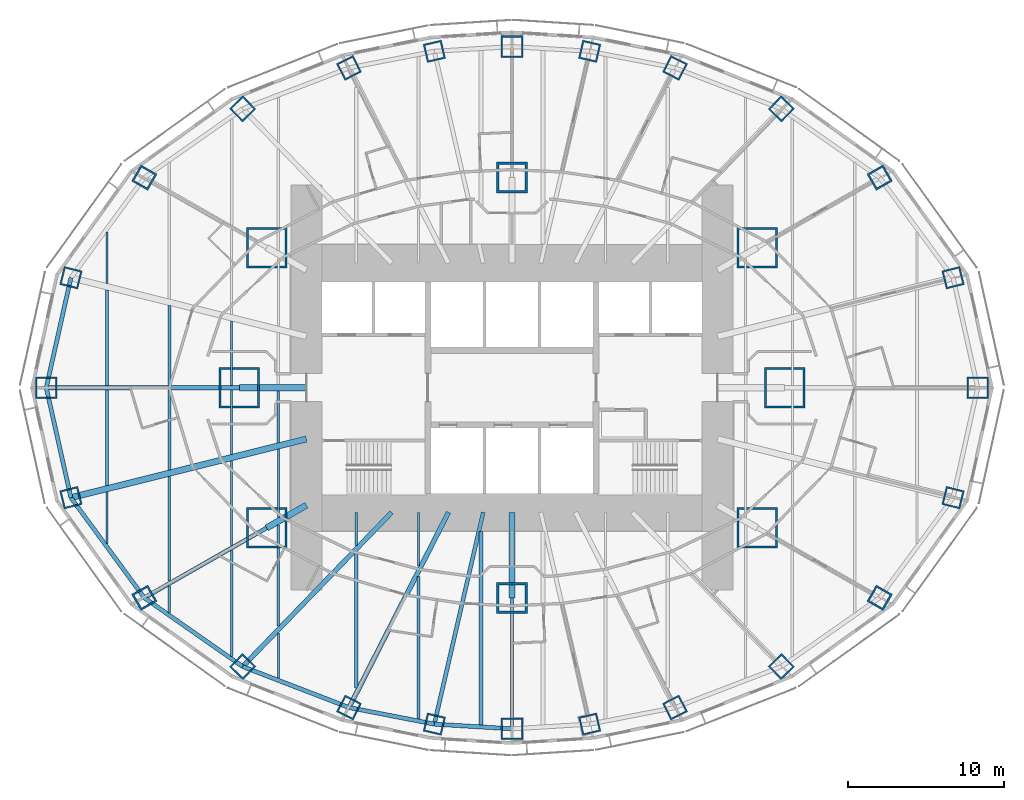
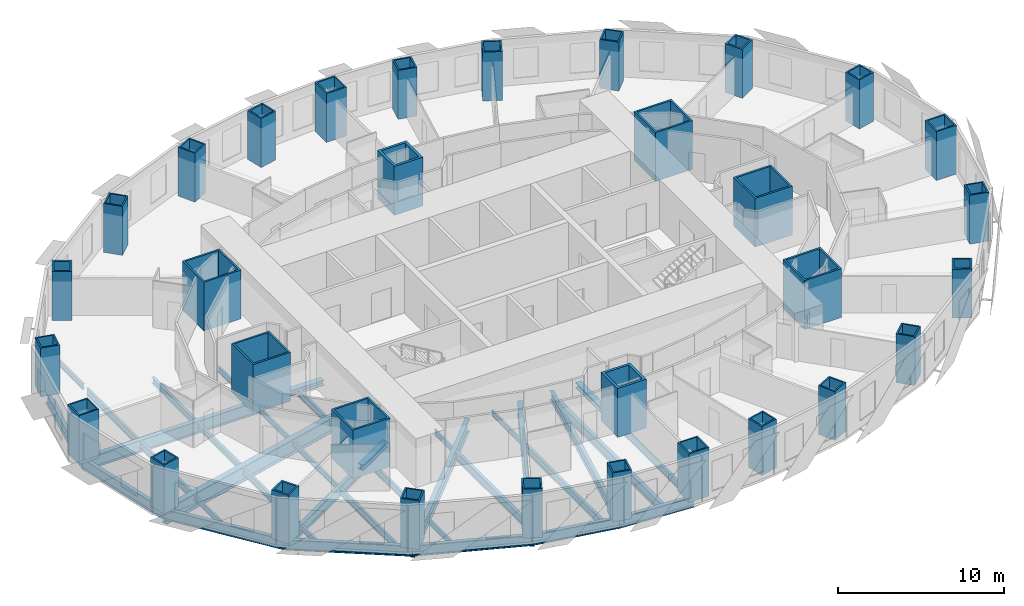
# One storey, part 1 of 15: 38 beams, 32 columns.
"""IFC4 building model written with IfcOpenShell, lengths in metres."""

import ifcopenshell
import ifcopenshell.guid

model = None  # the IFC model being written
_history = None  # IfcOwnerHistory: only IFC2X3 demands one
_inside = {}  # id of a spatial element -> (the spatial element, [elements in it])
_under = {}  # id of a project, library or spatial element -> (it, [spatial elements below it])
_declared = {}  # id of a project -> (the project, [libraries it declares])
_typed = {}  # id of a type object -> (the type object, [elements of that type])
_made_of = {}  # id of a material, layer set ... -> (it, [elements and type objects made of it])


def new_model(schema):
    """Start an empty IFC model of exactly this schema.

    Asked for "IFC4X3", IfcOpenShell would pick the latest addendum, in which some entities
    have other attributes; the version numbers below select the first issue.
    IFC2X3 requires an IfcOwnerHistory on every rooted entity: one is made here for all.
    """
    global model, _history
    if schema == "IFC4X3":
        model = ifcopenshell.file(schema_version=(4, 3, 0, 0))
    else:
        model = ifcopenshell.file(schema=schema)
    _inside.clear()
    _under.clear()
    _declared.clear()
    _typed.clear()
    _made_of.clear()
    _history = None
    if model.schema == "IFC2X3":
        org = make("IfcOrganization", Name="unknown")
        user = make(
            "IfcPersonAndOrganization",
            ThePerson=make("IfcPerson", FamilyName="unknown"),
            TheOrganization=org,
        )
        app = make(
            "IfcApplication",
            ApplicationDeveloper=org,
            Version="unknown",
            ApplicationFullName="unknown",
            ApplicationIdentifier="unknown",
        )
        _history = make(
            "IfcOwnerHistory",
            OwningUser=user,
            OwningApplication=app,
            ChangeAction="ADDED",
            CreationDate=0,
        )
    return model


def make(cls, **values):
    """One entity of the class cls with the attributes given. An attribute that is None is left unset."""
    return model.create_entity(
        cls, **{name: value for name, value in values.items() if value is not None}
    )


def rooted(cls, **values):
    """An entity with a GlobalId (a new one), such as an element, a storey or a relation."""
    return make(cls, GlobalId=ifcopenshell.guid.new(), OwnerHistory=_history, **values)


def si_unit(unit_type, name, prefix=None):
    """IfcSIUnit, for example si_unit("LENGTHUNIT", "METRE", prefix="MILLI")."""
    return make("IfcSIUnit", UnitType=unit_type, Prefix=prefix, Name=name)


def assignment(units):
    """IfcUnitAssignment: the units of a project."""
    return None if units is None else make("IfcUnitAssignment", Units=units)


def point(xyz):
    """IfcCartesianPoint."""
    return None if xyz is None else make("IfcCartesianPoint", Coordinates=xyz)


def direction(xyz):
    """IfcDirection."""
    return None if xyz is None else make("IfcDirection", DirectionRatios=xyz)


def frame(location, z_axis=None, x_axis=None):
    """IfcAxis2Placement3D, a coordinate frame: its origin and axes. An axis left out is left unset."""
    return make(
        "IfcAxis2Placement3D",
        Location=point(location),
        Axis=direction(z_axis),
        RefDirection=direction(x_axis),
    )


def frame_2d(location, x_axis=None):
    """IfcAxis2Placement2D, a coordinate frame in the plane: its origin and x axis."""
    return make(
        "IfcAxis2Placement2D", Location=point(location), RefDirection=direction(x_axis)
    )


def origin():
    """The frame at (0, 0, 0) with its axes left unset."""
    return frame((0.0, 0.0, 0.0))


def origin_2d():
    """The frame at (0, 0) in the plane with its x axis left unset."""
    return frame_2d((0.0, 0.0))


def place(relative_to, where):
    """IfcLocalPlacement: puts the frame where relative to a parent placement (None: the world)."""
    return make(
        "IfcLocalPlacement", PlacementRelTo=relative_to, RelativePlacement=where
    )


def context(
    kind, dimensions, precision=None, world=None, true_north=None, identifier=None
):
    """IfcGeometricRepresentationContext, for example the 3D "Model" context."""
    return make(
        "IfcGeometricRepresentationContext",
        ContextIdentifier=identifier,
        ContextType=kind,
        CoordinateSpaceDimension=dimensions,
        Precision=precision,
        WorldCoordinateSystem=world,
        TrueNorth=true_north,
    )


def subcontext(parent, identifier, kind, view, scale=None):
    """IfcGeometricRepresentationSubContext, for example "Body" below "Model"."""
    return make(
        "IfcGeometricRepresentationSubContext",
        ContextIdentifier=identifier,
        ContextType=kind,
        ParentContext=parent,
        TargetScale=scale,
        TargetView=view,
    )


def project(units=None, contexts=None):
    """IfcProject with its units and contexts."""
    return rooted(
        "IfcProject",
        Name="project",
        RepresentationContexts=contexts,
        UnitsInContext=assignment(units),
    )


def spatial(cls, under=None, at=None, **own):
    """A site, building, storey or space (cls), placed at a placement, below another one or the project."""
    s = rooted(cls, ObjectPlacement=at, **own)
    if under is not None:
        _under.setdefault(under.id(), (under, []))[1].append(s)
    return s


def profile(cls, at=None, kind="AREA", **sizes):
    """A parametric profile (cls). Its sizes go by their IFC names, for example OverallWidth=200.0."""
    return make(cls, ProfileType=kind, Position=at, **sizes)


def rectangle(**sizes):
    """IfcRectangleProfileDef."""
    return profile("IfcRectangleProfileDef", **sizes)


def hollow_rectangle(**sizes):
    """IfcRectangleHollowProfileDef."""
    return profile("IfcRectangleHollowProfileDef", **sizes)


def i_section(**sizes):
    """IfcIShapeProfileDef."""
    return profile("IfcIShapeProfileDef", **sizes)


def extrude(swept, where, along, depth):
    """IfcExtrudedAreaSolid: the profile swept, set in the frame where, extruded along a direction by depth."""
    return make(
        "IfcExtrudedAreaSolid",
        SweptArea=swept,
        Position=where,
        ExtrudedDirection=direction(along),
        Depth=depth,
    )


def shape(context_of_items, identifier, shape_type, items):
    """IfcShapeRepresentation: the items that make up one representation, for example the "Body"."""
    return make(
        "IfcShapeRepresentation",
        ContextOfItems=context_of_items,
        RepresentationIdentifier=identifier,
        RepresentationType=shape_type,
        Items=items,
    )


def material(Name=None, Category=None):
    """IfcMaterial."""
    return make("IfcMaterial", Name=Name, Category=Category)


def material_profile(
    of_material, cross_section, Name=None, Category=None, Priority=None
):
    """IfcMaterialProfile: a cross section and its material."""
    return make(
        "IfcMaterialProfile",
        Name=Name,
        Material=of_material,
        Profile=cross_section,
        Priority=Priority,
        Category=Category,
    )


def profile_set(profiles, Name=None, composite=None):
    """IfcMaterialProfileSet."""
    return make(
        "IfcMaterialProfileSet",
        Name=Name,
        MaterialProfiles=profiles,
        CompositeProfile=composite,
    )


def made_of(thing, what):
    """Note that an element or type object is made of a material, layer set ...; save() writes the relation."""
    if what is not None:
        _made_of.setdefault(what.id(), (what, []))[1].append(thing)
    return thing


def type_object(cls, material=None, **own):
    """A type object (cls), such as IfcWallType, which elements share."""
    return made_of(rooted(cls, **own), material)


def element(
    cls,
    number,
    at=None,
    inside=None,
    cuts=None,
    type_object=None,
    material=None,
    context=None,
    identifier="Body",
    shape_type=None,
    held_by="IfcProductDefinitionShape",
    body=None,
    shapes=None,
    **own,
):
    """One element of the class cls, such as IfcWall. Its Tag is "e" and its number.

    at: its placement. inside: the storey or other place that contains it. cuts: it is an
    opening in that element (IfcRelVoidsElement). A single representation is given by context,
    identifier, shape_type and body (its items); several are given by shapes. held_by: the class
    of the entity that holds the representations. save() writes the other relations.
    """
    e = rooted(cls, Tag="e%d" % number, ObjectPlacement=at, **own)
    if body is not None:
        shapes = [shape(context, identifier, shape_type, body)]
    if shapes is not None:
        e.Representation = make(held_by, Representations=shapes)
    if inside is not None:
        _inside.setdefault(inside.id(), (inside, []))[1].append(e)
    if cuts is not None:
        rooted(
            "IfcRelVoidsElement", RelatingBuildingElement=cuts, RelatedOpeningElement=e
        )
    if type_object is not None:
        _typed.setdefault(type_object.id(), (type_object, []))[1].append(e)
    return made_of(e, material)


def aggregate(whole, parts):
    """IfcRelAggregates: a whole, such as a stair, and the parts it consists of."""
    return rooted("IfcRelAggregates", RelatingObject=whole, RelatedObjects=parts)


def save(model, path):
    """Write the relations noted so far, then the file.

    IfcRelAggregates (storeys below a building ...), IfcRelContainedInSpatialStructure (elements
    in a storey), IfcRelDefinesByType, IfcRelAssociatesMaterial and IfcRelDeclares: one each for
    every whole, place, type object, material and project.
    """
    for whole, parts in _under.values():
        aggregate(whole, parts)
    for where, things in _inside.values():
        rooted(
            "IfcRelContainedInSpatialStructure",
            RelatedElements=things,
            RelatingStructure=where,
        )
    for kind, things in _typed.values():
        rooted("IfcRelDefinesByType", RelatedObjects=things, RelatingType=kind)
    for what, things in _made_of.values():
        rooted("IfcRelAssociatesMaterial", RelatedObjects=things, RelatingMaterial=what)
    for by, libraries in _declared.values():
        rooted("IfcRelDeclares", RelatingContext=by, RelatedDefinitions=libraries)
    model.write(path)


model = new_model("IFC4")

# Units and contexts
model_context = context("Model", 3, precision=1e-05, world=origin(), true_north=direction((0.0, 1.0)))
body_context = subcontext(model_context, "Body", "Model", "MODEL_VIEW")
ifc_project = project(units=[si_unit("LENGTHUNIT", "METRE"), si_unit("AREAUNIT", "SQUARE_METRE"), si_unit("VOLUMEUNIT", "CUBIC_METRE"), si_unit("PLANEANGLEUNIT", "RADIAN"), si_unit("MASSUNIT", "GRAM", prefix="KILO")], contexts=[model_context])

# Site, building, storey
site_placement = place(None, origin())
site = spatial("IfcSite", under=ifc_project, at=site_placement, CompositionType="ELEMENT")
building_placement = place(site_placement, origin())
building = spatial("IfcBuilding", under=site, at=building_placement, Name="Lantaw Convention Tower", CompositionType="ELEMENT")
storey_placement = place(building_placement, frame((0.0, 0.0, 80.199951171875)))
storey = spatial("IfcBuildingStorey", under=building, at=storey_placement, Name="L18", CompositionType="ELEMENT", Elevation=80.199951171875)

# Columns
ifc_material_1 = material(Name="Steel EN 10025-3 S460N", Category="steel")
ifc_material_profile_1 = material_profile(ifc_material_1, hollow_rectangle(XDim=2.0, YDim=2.0, WallThickness=0.169921875, at=origin_2d()), Name="BOX2000X170")
ifc_material_2 = material(Name="Concrete C60/75", Category="concrete")
ifc_material_profile_2 = material_profile(ifc_material_2, rectangle(XDim=1.659912109375, YDim=1.659912109375, at=origin_2d()), Name="Concrete fill of BOX2000X170")
ifc_profile_set_1 = profile_set([ifc_material_profile_1, ifc_material_profile_2], Name="Steel EN 10025-3 S460N")
column_type_1 = type_object("IfcColumnType", Name="Column MC BOX2000X170", PredefinedType="COLUMN", material=ifc_profile_set_1)
for number, where, z_axis, x_axis, name in (
    (1, (0.0, 13.5, 0.0), (0.0, 0.0, 1.0), (1.0, 0.0, 0.0), "Mega column M3"),
    (2, (0.0, -13.5, 0.0), (0.0, 0.0, 1.0), (1.0, 0.0, 0.0), "Mega column M7"),
):
    element("IfcColumn", number, at=place(storey_placement, frame(where, z_axis=z_axis, x_axis=x_axis)), inside=storey, type_object=column_type_1, Name=name, PredefinedType="COLUMN", context=body_context, shape_type="SweptSolid", body=[
        extrude(hollow_rectangle(XDim=2.0, YDim=2.0, WallThickness=0.169921875, at=origin_2d()), origin(), (0.0, 0.0, 1.0), 3.60009765625),
    ])
ifc_material_profile_3 = material_profile(ifc_material_1, hollow_rectangle(XDim=2.60009765625, YDim=2.60009765625, WallThickness=0.1298828125, at=origin_2d()), Name="BOX2600X130")
ifc_material_profile_4 = material_profile(ifc_material_2, rectangle(XDim=2.340087890625, YDim=2.340087890625, at=origin_2d()), Name="Concrete fill of BOX2600X130")
ifc_profile_set_2 = profile_set([ifc_material_profile_3, ifc_material_profile_4], Name="Steel EN 10025-3 S460N")
column_type_2 = type_object("IfcColumnType", Name="Column MC BOX2600X130", PredefinedType="COLUMN", material=ifc_profile_set_2)
for number, where, z_axis, x_axis, name in (
    (3, (17.5, 0.0, 0.0), (0.0, 0.0, 1.0), (1.0, 0.0, 0.0), "Mega column M1"),
    (4, (15.75, 9.0, 0.0), (0.0, 0.0, 1.0), (1.0, 0.0, 0.0), "Mega column M2"),
    (5, (-15.75, 9.0, 0.0), (0.0, 0.0, 1.0), (1.0, 0.0, 0.0), "Mega column M4"),
    (6, (-17.5, 0.0, 0.0), (0.0, 0.0, 1.0), (1.0, 0.0, 0.0), "Mega column M5"),
    (7, (-15.75, -9.0, 0.0), (0.0, 0.0, 1.0), (1.0, 0.0, 0.0), "Mega column M6"),
    (8, (15.75, -9.0, 0.0), (0.0, 0.0, 1.0), (1.0, 0.0, 0.0), "Mega column M8"),
):
    element("IfcColumn", number, at=place(storey_placement, frame(where, z_axis=z_axis, x_axis=x_axis)), inside=storey, type_object=column_type_2, Name=name, PredefinedType="COLUMN", context=body_context, shape_type="SweptSolid", body=[
        extrude(hollow_rectangle(XDim=2.60009765625, YDim=2.60009765625, WallThickness=0.1298828125, at=origin_2d()), origin(), (0.0, 0.0, 1.0), 3.60009765625),
    ])
ifc_material_profile_5 = material_profile(ifc_material_1, hollow_rectangle(XDim=1.199951171875, YDim=1.199951171875, WallThickness=0.10009765625, at=origin_2d()), Name="BOX1200X100")
ifc_material_profile_6 = material_profile(ifc_material_2, rectangle(XDim=1.0, YDim=1.0, at=origin_2d()), Name="Concrete fill of BOX1200X100")
ifc_profile_set_3 = profile_set([ifc_material_profile_5, ifc_material_profile_6], Name="Steel EN 10025-3 S460N")
column_type_3 = type_object("IfcColumnType", Name="Column PC BOX1200X100", PredefinedType="COLUMN", material=ifc_profile_set_3)
for number, where, z_axis, x_axis, name in (
    (9, (28.31787109375, 7.060302734375, 0.0), (0.0, 0.0, 1.0), (0.970295726276, 0.2419218956, 0.0), "Perimeter column P2"),
    (10, (17.290771484375, 17.9052734375, 0.0), (0.0, 0.0, 1.0), (0.694658370459, 0.719339800339, 0.0), "Perimeter column P4"),
    (11, (10.462646484375, 20.533935546875, 0.0), (0.0, 0.0, 1.0), (0.45399049974, 0.891006524188, 0.0), "Perimeter column P5"),
    (12, (4.986328125, 21.59814453125, 0.0), (0.0, 0.0, 1.0), (0.224951054344, 0.974370064785, 0.0), "Perimeter column P6"),
    (13, (-4.986328125, 21.59814453125, 0.0), (0.0, 0.0, 1.0), (0.974370064785, 0.224951054344, 0.0), "Perimeter column P8"),
    (14, (-10.462646484375, 20.533935546875, 0.0), (0.0, 0.0, 1.0), (0.891006524188, 0.45399049974, 0.0), "Perimeter column P9"),
    (15, (-17.290771484375, 17.9052734375, 0.0), (0.0, 0.0, 1.0), (0.719339800339, 0.694658370459, 0.0), "Perimeter column P10"),
    (16, (-28.31787109375, 7.060302734375, 0.0), (0.0, 0.0, 1.0), (0.2419218956, 0.970295726276, 0.0), "Perimeter column P12"),
    (17, (-28.31787109375, -7.060302734375, 0.0), (0.0, 0.0, 1.0), (0.970295726276, 0.2419218956, 0.0), "Perimeter column P14"),
    (18, (-17.290771484375, -17.9052734375, 0.0), (0.0, 0.0, 1.0), (0.694658370459, 0.719339800339, 0.0), "Perimeter column P16"),
    (19, (-10.462646484375, -20.533935546875, 0.0), (0.0, 0.0, 1.0), (0.45399049974, 0.891006524188, 0.0), "Perimeter column P17"),
    (20, (-4.986328125, -21.59814453125, 0.0), (0.0, 0.0, 1.0), (0.224951054344, 0.974370064785, 0.0), "Perimeter column P18"),
    (21, (4.986328125, -21.59814453125, 0.0), (0.0, 0.0, 1.0), (0.974370064785, 0.224951054344, 0.0), "Perimeter column P20"),
    (22, (10.462646484375, -20.533935546875, 0.0), (0.0, 0.0, 1.0), (0.891006524188, 0.45399049974, 0.0), "Perimeter column P21"),
    (23, (17.290771484375, -17.9052734375, 0.0), (0.0, 0.0, 1.0), (0.719339800339, 0.694658370459, 0.0), "Perimeter column P22"),
    (24, (28.31787109375, -7.060302734375, 0.0), (0.0, 0.0, 1.0), (0.2419218956, 0.970295726276, 0.0), "Perimeter column P24"),
):
    element("IfcColumn", number, at=place(storey_placement, frame(where, z_axis=z_axis, x_axis=x_axis)), inside=storey, type_object=column_type_3, Name=name, PredefinedType="COLUMN", context=body_context, shape_type="SweptSolid", body=[
        extrude(hollow_rectangle(XDim=1.199951171875, YDim=1.199951171875, WallThickness=0.10009765625, at=origin_2d()), origin(), (0.0, 0.0, 1.0), 3.60009765625),
    ])
ifc_material_profile_7 = material_profile(ifc_material_1, hollow_rectangle(XDim=1.199951171875, YDim=1.199951171875, WallThickness=0.1201171875, at=origin_2d()), Name="BOX1200X120")
ifc_material_profile_8 = material_profile(ifc_material_2, rectangle(XDim=0.9599609375, YDim=0.9599609375, at=origin_2d()), Name="Concrete fill of BOX1200X120")
ifc_profile_set_4 = profile_set([ifc_material_profile_7, ifc_material_profile_8], Name="Steel EN 10025-3 S460N")
column_type_4 = type_object("IfcColumnType", Name="Column PC BOX1200X120", PredefinedType="COLUMN", material=ifc_profile_set_4)
for number, where, z_axis, x_axis, name in (
    (25, (23.60498046875, 13.488525390625, 0.0), (0.0, 0.0, 1.0), (0.86824298017, 0.496139221777, 0.0), "Perimeter column P3"),
    (26, (-23.60498046875, 13.488525390625, 0.0), (0.0, 0.0, 1.0), (0.496139221777, 0.86824298017, 0.0), "Perimeter column P11"),
    (27, (-23.60498046875, -13.488525390625, 0.0), (0.0, 0.0, 1.0), (0.86824298017, 0.496139221777, 0.0), "Perimeter column P15"),
    (28, (23.60498046875, -13.488525390625, 0.0), (0.0, 0.0, 1.0), (0.496139221777, 0.86824298017, 0.0), "Perimeter column P23"),
):
    element("IfcColumn", number, at=place(storey_placement, frame(where, z_axis=z_axis, x_axis=x_axis)), inside=storey, type_object=column_type_4, Name=name, PredefinedType="COLUMN", context=body_context, shape_type="SweptSolid", body=[
        extrude(hollow_rectangle(XDim=1.199951171875, YDim=1.199951171875, WallThickness=0.1201171875, at=origin_2d()), origin(), (0.0, 0.0, 1.0), 3.60009765625),
    ])
ifc_material_profile_9 = material_profile(ifc_material_1, hollow_rectangle(XDim=1.39990234375, YDim=1.39990234375, WallThickness=0.10009765625, at=origin_2d()), Name="BOX1400X100")
ifc_material_profile_10 = material_profile(ifc_material_2, rectangle(XDim=1.199951171875, YDim=1.199951171875, at=origin_2d()), Name="Concrete fill of BOX1400X100")
ifc_profile_set_5 = profile_set([ifc_material_profile_9, ifc_material_profile_10], Name="Steel EN 10025-3 S460N")
column_type_5 = type_object("IfcColumnType", Name="Column PC BOX1400X100", PredefinedType="COLUMN", material=ifc_profile_set_5)
for number, where, z_axis, x_axis, name in (
    (29, (29.89990234375, 0.0, 0.0), (0.0, 0.0, 1.0), (1.0, 0.0, 0.0), "Perimeter column P1"),
    (30, (0.0, 21.89990234375, 0.0), (0.0, 0.0, 1.0), (1.0, 0.0, 0.0), "Perimeter column P7"),
    (31, (-29.89990234375, 0.0, 0.0), (0.0, 0.0, 1.0), (1.0, 0.0, 0.0), "Perimeter column P13"),
    (32, (0.0, -21.89990234375, 0.0), (0.0, 0.0, 1.0), (1.0, 0.0, 0.0), "Perimeter column P19"),
):
    element("IfcColumn", number, at=place(storey_placement, frame(where, z_axis=z_axis, x_axis=x_axis)), inside=storey, type_object=column_type_5, Name=name, PredefinedType="COLUMN", context=body_context, shape_type="SweptSolid", body=[
        extrude(hollow_rectangle(XDim=1.39990234375, YDim=1.39990234375, WallThickness=0.10009765625, at=origin_2d()), origin(), (0.0, 0.0, 1.0), 3.60009765625),
    ])

# Beams
ifc_material_3 = material(Name="Steel ASTM A992", Category="steel")
ifc_material_profile_11 = material_profile(ifc_material_3, i_section(OverallWidth=0.2666015625, OverallDepth=0.76953125, WebThickness=0.015625, FlangeThickness=0.025390625, FilletRadius=0.0126953125, at=origin_2d()), Name="W30X132")
ifc_profile_set_6 = profile_set([ifc_material_profile_11], Name="Steel ASTM A992")
beam_type_1 = type_object("IfcBeamType", Name="Beam E W30X132", PredefinedType="SPANDREL", material=ifc_profile_set_6)
for number, where, z_axis, x_axis, name in (
    (33, (-28.31787109375, 7.060302734375, -0.53466796875), (-0.218652184873, -0.975802860239, 0.0), (0.975802860239, -0.218652184873, 0.0), "Edge beam 12"),
    (34, (-29.89990234375, 0.0, -0.53466796875), (0.218652184873, -0.975802860239, 0.0), (0.975802860239, 0.218652184873, 0.0), "Edge beam 13"),
):
    element("IfcBeam", number, at=place(storey_placement, frame(where, z_axis=z_axis, x_axis=x_axis)), inside=storey, type_object=beam_type_1, Name=name, PredefinedType="SPANDREL", context=body_context, shape_type="SweptSolid", body=[
        extrude(i_section(OverallWidth=0.2666015625, OverallDepth=0.76953125, WebThickness=0.015625, FlangeThickness=0.025390625, FilletRadius=0.0126953125, at=origin_2d()), origin(), (0.0, 0.0, 1.0), 7.2353515625),
    ])
beam_1_placement = place(storey_placement, frame((-28.31787109375, -7.060302734375, -0.53466796875), z_axis=(0.591270709086, -0.806473154281, 0.0), x_axis=(0.806473154281, 0.591270709086, 0.0)))
element("IfcBeam", 35, at=beam_1_placement, inside=storey, type_object=beam_type_1, Name="Edge beam 14", PredefinedType="SPANDREL", context=body_context, shape_type="SweptSolid", body=[
    extrude(i_section(OverallWidth=0.2666015625, OverallDepth=0.76953125, WebThickness=0.015625, FlangeThickness=0.025390625, FilletRadius=0.0126953125, at=origin_2d()), origin(), (0.0, 0.0, 1.0), 7.970703125),
])
beam_2_placement = place(storey_placement, frame((-23.60498046875, -13.488525390625, -0.53466796875), z_axis=(0.81942686407, -0.57318375277, 0.0), x_axis=(0.57318375277, 0.81942686407, 0.0)))
element("IfcBeam", 36, at=beam_2_placement, inside=storey, type_object=beam_type_1, Name="Edge beam 15", PredefinedType="SPANDREL", context=body_context, shape_type="SweptSolid", body=[
    extrude(i_section(OverallWidth=0.2666015625, OverallDepth=0.76953125, WebThickness=0.015625, FlangeThickness=0.025390625, FilletRadius=0.0126953125, at=origin_2d()), origin(), (0.0, 0.0, 1.0), 7.70556640625),
])
beam_3_placement = place(storey_placement, frame((-17.290771484375, -17.9052734375, -0.53466796875), z_axis=(0.933232900641, -0.359271976588, 0.0), x_axis=(0.359271976588, 0.933232900641, 0.0)))
element("IfcBeam", 37, at=beam_3_placement, inside=storey, type_object=beam_type_1, Name="Edge beam 16", PredefinedType="SPANDREL", context=body_context, shape_type="SweptSolid", body=[
    extrude(i_section(OverallWidth=0.2666015625, OverallDepth=0.76953125, WebThickness=0.015625, FlangeThickness=0.025390625, FilletRadius=0.0126953125, at=origin_2d()), origin(), (0.0, 0.0, 1.0), 7.316650390625),
])
beam_4_placement = place(storey_placement, frame((-10.462646484375, -20.533935546875, -0.53466796875), z_axis=(0.981636565323, -0.190760723474, 0.0), x_axis=(0.190760723474, 0.981636565323, 0.0)))
element("IfcBeam", 38, at=beam_4_placement, inside=storey, type_object=beam_type_1, Name="Edge beam 17", PredefinedType="SPANDREL", context=body_context, shape_type="SweptSolid", body=[
    extrude(i_section(OverallWidth=0.2666015625, OverallDepth=0.76953125, WebThickness=0.015625, FlangeThickness=0.025390625, FilletRadius=0.0126953125, at=origin_2d()), origin(), (0.0, 0.0, 1.0), 5.578857421875),
])
beam_5_placement = place(storey_placement, frame((-4.986328125, -21.59814453125, -0.53466796875), z_axis=(0.998173858406, -0.060406526096, 0.0), x_axis=(0.060406526096, 0.998173858406, 0.0)))
element("IfcBeam", 39, at=beam_5_placement, inside=storey, type_object=beam_type_1, Name="Edge beam 18", PredefinedType="SPANDREL", context=body_context, shape_type="SweptSolid", body=[
    extrude(i_section(OverallWidth=0.2666015625, OverallDepth=0.76953125, WebThickness=0.015625, FlangeThickness=0.025390625, FilletRadius=0.0126953125, at=origin_2d()), origin(), (0.0, 0.0, 1.0), 4.995361328125),
])
ifc_material_profile_12 = material_profile(ifc_material_3, i_section(OverallWidth=0.1650390625, OverallDepth=0.52587890625, WebThickness=0.0087890625, FlangeThickness=0.011474609375, FilletRadius=0.0126953125, at=origin_2d()), Name="W21X44")
ifc_profile_set_7 = profile_set([ifc_material_profile_12], Name="Steel ASTM A992")
beam_type_2 = type_object("IfcBeamType", Name="Beam G W21X44", PredefinedType="BEAM", material=ifc_profile_set_7)
beam_6_placement = place(storey_placement, frame((0.0, -13.5, -0.412841796875), z_axis=(0.0, -1.0, 0.0), x_axis=(1.0, 0.0, 0.0)))
element("IfcBeam", 40, at=beam_6_placement, inside=storey, type_object=beam_type_2, Name="Floor girder on ray 19", PredefinedType="BEAM", context=body_context, shape_type="SweptSolid", body=[
    extrude(i_section(OverallWidth=0.1650390625, OverallDepth=0.52587890625, WebThickness=0.0087890625, FlangeThickness=0.011474609375, FilletRadius=0.0126953125, at=origin_2d()), origin(), (0.0, 0.0, 1.0), 8.39990234375),
])
ifc_material_profile_13 = material_profile(ifc_material_3, i_section(OverallWidth=0.25390625, OverallDepth=0.683349609375, WebThickness=0.012451171875, FlangeThickness=0.01904296875, FilletRadius=0.01513671875, at=origin_2d()), Name="W27X94")
ifc_profile_set_8 = profile_set([ifc_material_profile_13], Name="Steel ASTM A992")
beam_type_3 = type_object("IfcBeamType", Name="Beam G W27X94", PredefinedType="BEAM", material=ifc_profile_set_8)
beam_7_placement = place(storey_placement, frame((-1.846923828125, -8.0, -0.49169921875), z_axis=(-0.224952773175, -0.97436966796, 0.0), x_axis=(0.97436966796, -0.224952773175, 0.0)))
element("IfcBeam", 41, at=beam_7_placement, inside=storey, type_object=beam_type_3, Name="Floor girder on ray 18", PredefinedType="BEAM", context=body_context, shape_type="SweptSolid", body=[
    extrude(i_section(OverallWidth=0.25390625, OverallDepth=0.683349609375, WebThickness=0.012451171875, FlangeThickness=0.01904296875, FilletRadius=0.01513671875, at=origin_2d()), origin(), (0.0, 0.0, 1.0), 13.955810546875),
])
ifc_material_profile_14 = material_profile(ifc_material_3, i_section(OverallWidth=0.2666015625, OverallDepth=0.7568359375, WebThickness=0.013916015625, FlangeThickness=0.019287109375, FilletRadius=0.0126953125, at=origin_2d()), Name="W30X108")
ifc_profile_set_9 = profile_set([ifc_material_profile_14], Name="Steel ASTM A992")
beam_type_4 = type_object("IfcBeamType", Name="Beam G W30X108", PredefinedType="BEAM", material=ifc_profile_set_9)
beam_8_placement = place(storey_placement, frame((-15.75, -9.0, -0.5283203125), z_axis=(-0.868244802791, -0.496136032179, 0.0), x_axis=(0.496136032179, -0.868244802791, 0.0)))
element("IfcBeam", 42, at=beam_8_placement, inside=storey, type_object=beam_type_4, Name="Floor girder on ray 15", PredefinedType="BEAM", context=body_context, shape_type="SweptSolid", body=[
    extrude(i_section(OverallWidth=0.2666015625, OverallDepth=0.7568359375, WebThickness=0.013916015625, FlangeThickness=0.019287109375, FilletRadius=0.0126953125, at=origin_2d()), origin(), (0.0, 0.0, 1.0), 9.046875),
])
ifc_material_profile_15 = material_profile(ifc_material_3, i_section(OverallWidth=0.307373046875, OverallDepth=0.922119140625, WebThickness=0.018310546875, FlangeThickness=0.030029296875, FilletRadius=0.0126953125, at=origin_2d()), Name="W36X182")
ifc_profile_set_10 = profile_set([ifc_material_profile_15], Name="Steel ASTM A992")
beam_type_5 = type_object("IfcBeamType", Name="Beam G W36X182", PredefinedType="BEAM", material=ifc_profile_set_10)
beam_9_placement = place(storey_placement, frame((-17.5, 0.0, -0.61083984375), z_axis=(-1.0, 0.0, 0.0), x_axis=(0.0, -1.0, 0.0)))
element("IfcBeam", 43, at=beam_9_placement, inside=storey, type_object=beam_type_5, Name="Floor girder on ray 13", PredefinedType="BEAM", context=body_context, shape_type="SweptSolid", body=[
    extrude(i_section(OverallWidth=0.307373046875, OverallDepth=0.922119140625, WebThickness=0.018310546875, FlangeThickness=0.030029296875, FilletRadius=0.0126953125, at=origin_2d()), origin(), (0.0, 0.0, 1.0), 12.39990234375),
])
beam_10_placement = place(storey_placement, frame((-7.7255859375, -8.0, -0.61083984375), z_axis=(-0.694649884291, -0.719347995239, 0.0), x_axis=(0.719347995239, -0.694649884291, 0.0)))
element("IfcBeam", 44, at=beam_10_placement, inside=storey, type_object=beam_type_5, Name="Floor girder on ray 16", PredefinedType="BEAM", context=body_context, shape_type="SweptSolid", body=[
    extrude(i_section(OverallWidth=0.307373046875, OverallDepth=0.922119140625, WebThickness=0.018310546875, FlangeThickness=0.030029296875, FilletRadius=0.0126953125, at=origin_2d()), origin(), (0.0, 0.0, 1.0), 13.769775390625),
])
beam_11_placement = place(storey_placement, frame((-4.076171875, -8.0, -0.61083984375), z_axis=(-0.453997016122, -0.891003203896, 0.0), x_axis=(0.891003203896, -0.453997016122, 0.0)))
element("IfcBeam", 45, at=beam_11_placement, inside=storey, type_object=beam_type_5, Name="Floor girder on ray 17", PredefinedType="BEAM", context=body_context, shape_type="SweptSolid", body=[
    extrude(i_section(OverallWidth=0.307373046875, OverallDepth=0.922119140625, WebThickness=0.018310546875, FlangeThickness=0.030029296875, FilletRadius=0.0126953125, at=origin_2d()), origin(), (0.0, 0.0, 1.0), 14.067138671875),
])
ifc_material_profile_16 = material_profile(ifc_material_3, i_section(OverallWidth=0.40380859375, OverallDepth=1.11767578125, WebThickness=0.026123046875, FlangeThickness=0.044921875, FilletRadius=0.02001953125, at=origin_2d()), Name="W44X335")
ifc_profile_set_11 = profile_set([ifc_material_profile_16], Name="Steel ASTM A992")
beam_type_6 = type_object("IfcBeamType", Name="Beam G W44X335", PredefinedType="BEAM", material=ifc_profile_set_11)
beam_12_placement = place(storey_placement, frame((-13.199951171875, -3.291015625, -0.708740234375), z_axis=(-0.970296233567, -0.241919860957, 0.0), x_axis=(0.241919860957, -0.970296233567, 0.0)))
element("IfcBeam", 46, at=beam_12_placement, inside=storey, type_object=beam_type_6, Name="Floor girder on ray 14", PredefinedType="BEAM", context=body_context, shape_type="SweptSolid", body=[
    extrude(i_section(OverallWidth=0.40380859375, OverallDepth=1.11767578125, WebThickness=0.026123046875, FlangeThickness=0.044921875, FilletRadius=0.02001953125, at=origin_2d()), origin(), (0.0, 0.0, 1.0), 15.580810546875),
])
ifc_material_profile_17 = material_profile(ifc_material_3, i_section(OverallWidth=0.40380859375, OverallDepth=0.406494140625, WebThickness=0.027099609375, FlangeThickness=0.043701171875, FilletRadius=0.01513671875, at=origin_2d()), Name="W14X233")
ifc_profile_set_12 = profile_set([ifc_material_profile_17], Name="Steel ASTM A992")
beam_type_7 = type_object("IfcBeamType", Name="Beam GM W14X233", PredefinedType="BEAM", material=ifc_profile_set_12)
beam_13_placement = place(storey_placement, frame((-13.199951171875, 0.0, -0.353271484375), z_axis=(-1.0, 0.0, 0.0), x_axis=(0.0, -1.0, 0.0)))
element("IfcBeam", 47, at=beam_13_placement, inside=storey, type_object=beam_type_7, Name="Core link beam on ray 13", PredefinedType="BEAM", context=body_context, shape_type="SweptSolid", body=[
    extrude(i_section(OverallWidth=0.40380859375, OverallDepth=0.406494140625, WebThickness=0.027099609375, FlangeThickness=0.043701171875, FilletRadius=0.01513671875, at=origin_2d()), origin(), (0.0, 0.0, 1.0), 4.300048828125),
])
beam_14_placement = place(storey_placement, frame((-13.199951171875, -7.54296875, -0.353271484375), z_axis=(-0.868263603466, -0.496103129295, 0.0), x_axis=(0.496103129295, -0.868263603466, 0.0)))
element("IfcBeam", 48, at=beam_14_placement, inside=storey, type_object=beam_type_7, Name="Core link beam on ray 15", PredefinedType="BEAM", context=body_context, shape_type="SweptSolid", body=[
    extrude(i_section(OverallWidth=0.40380859375, OverallDepth=0.406494140625, WebThickness=0.027099609375, FlangeThickness=0.043701171875, FilletRadius=0.01513671875, at=origin_2d()), origin(), (0.0, 0.0, 1.0), 2.93701171875),
])
beam_15_placement = place(storey_placement, frame((0.0, -8.0, -0.353271484375), z_axis=(0.0, -1.0, 0.0), x_axis=(1.0, 0.0, 0.0)))
element("IfcBeam", 49, at=beam_15_placement, inside=storey, type_object=beam_type_7, Name="Core link beam on ray 19", PredefinedType="BEAM", context=body_context, shape_type="SweptSolid", body=[
    extrude(i_section(OverallWidth=0.40380859375, OverallDepth=0.406494140625, WebThickness=0.027099609375, FlangeThickness=0.043701171875, FilletRadius=0.01513671875, at=origin_2d()), origin(), (0.0, 0.0, 1.0), 5.5),
])
ifc_material_profile_18 = material_profile(ifc_material_3, i_section(OverallWidth=0.140380859375, OverallDepth=0.40380859375, WebThickness=0.007080078125, FlangeThickness=0.01123046875, FilletRadius=0.01025390625, at=origin_2d()), Name="W16X31")
ifc_profile_set_13 = profile_set([ifc_material_profile_18], Name="Steel ASTM A992")
beam_type_8 = type_object("IfcBeamType", Name="Beam J W16X31", PredefinedType="JOIST", material=ifc_profile_set_13)
for number, where, z_axis, x_axis, name in (
    (50, (-26.0, -9.996337890625, -0.351806640625), (0.0, 1.0, 0.0), (-1.0, 0.0, 0.0), "Floor joist"),
    (51, (-26.0, 6.690673828125, -0.351806640625), (0.0, 1.0, 0.0), (-1.0, 0.0, 0.0), "Floor joist"),
):
    element("IfcBeam", number, at=place(storey_placement, frame(where, z_axis=z_axis, x_axis=x_axis)), inside=storey, type_object=beam_type_8, Name=name, PredefinedType="JOIST", context=body_context, shape_type="SweptSolid", body=[
        extrude(i_section(OverallWidth=0.140380859375, OverallDepth=0.40380859375, WebThickness=0.007080078125, FlangeThickness=0.01123046875, FilletRadius=0.01025390625, at=origin_2d()), origin(), (0.0, 0.0, 1.0), 3.3056640625),
    ])
beam_16_placement = place(storey_placement, frame((-22.0, -14.448486328125, -0.351806640625), z_axis=(0.0, 1.0, 0.0), x_axis=(-1.0, 0.0, 0.0)))
element("IfcBeam", 52, at=beam_16_placement, inside=storey, type_object=beam_type_8, Name="Floor joist", PredefinedType="JOIST", context=body_context, shape_type="SweptSolid", body=[
    extrude(i_section(OverallWidth=0.140380859375, OverallDepth=0.40380859375, WebThickness=0.007080078125, FlangeThickness=0.01123046875, FilletRadius=0.01025390625, at=origin_2d()), origin(), (0.0, 0.0, 1.0), 1.723388671875),
])
beam_17_placement = place(storey_placement, frame((-18.0, -10.132080078125, -0.351806640625), z_axis=(0.0, 1.0, 0.0), x_axis=(-1.0, 0.0, 0.0)))
element("IfcBeam", 53, at=beam_17_placement, inside=storey, type_object=beam_type_8, Name="Floor joist", PredefinedType="JOIST", context=body_context, shape_type="SweptSolid", body=[
    extrude(i_section(OverallWidth=0.140380859375, OverallDepth=0.40380859375, WebThickness=0.007080078125, FlangeThickness=0.01123046875, FilletRadius=0.01025390625, at=origin_2d()), origin(), (0.0, 0.0, 1.0), 5.43603515625),
])
for number, where, z_axis, x_axis, name in (
    (54, (-18.0, -4.27978515625, -0.351806640625), (0.0, 1.0, 0.0), (-1.0, 0.0, 0.0), "Floor joist"),
    (55, (-18.0, 0.153564453125, -0.351806640625), (0.0, 1.0, 0.0), (-1.0, 0.0, 0.0), "Floor joist"),
):
    element("IfcBeam", number, at=place(storey_placement, frame(where, z_axis=z_axis, x_axis=x_axis)), inside=storey, type_object=beam_type_8, Name=name, PredefinedType="JOIST", context=body_context, shape_type="SweptSolid", body=[
        extrude(i_section(OverallWidth=0.140380859375, OverallDepth=0.40380859375, WebThickness=0.007080078125, FlangeThickness=0.01123046875, FilletRadius=0.01025390625, at=origin_2d()), origin(), (0.0, 0.0, 1.0), 4.126220703125),
    ])
beam_18_placement = place(storey_placement, frame((-15.0, -18.644287109375, -0.351806640625), z_axis=(0.0, 1.0, 0.0), x_axis=(-1.0, 0.0, 0.0)))
element("IfcBeam", 56, at=beam_18_placement, inside=storey, type_object=beam_type_8, Name="Floor joist", PredefinedType="JOIST", context=body_context, shape_type="SweptSolid", body=[
    extrude(i_section(OverallWidth=0.140380859375, OverallDepth=0.40380859375, WebThickness=0.007080078125, FlangeThickness=0.01123046875, FilletRadius=0.01025390625, at=origin_2d()), origin(), (0.0, 0.0, 1.0), 2.89013671875),
])
beam_19_placement = place(storey_placement, frame((-15.0, -8.3388671875, -0.351806640625), z_axis=(0.0, 1.0, 0.0), x_axis=(-1.0, 0.0, 0.0)))
element("IfcBeam", 57, at=beam_19_placement, inside=storey, type_object=beam_type_8, Name="Floor joist", PredefinedType="JOIST", context=body_context, shape_type="SweptSolid", body=[
    extrude(i_section(OverallWidth=0.140380859375, OverallDepth=0.40380859375, WebThickness=0.007080078125, FlangeThickness=0.01123046875, FilletRadius=0.01025390625, at=origin_2d()), origin(), (0.0, 0.0, 1.0), 4.390869140625),
])
beam_20_placement = place(storey_placement, frame((-10.0, -10.134033203125, -0.351806640625), z_axis=(0.0, 1.0, 0.0), x_axis=(-1.0, 0.0, 0.0)))
element("IfcBeam", 58, at=beam_20_placement, inside=storey, type_object=beam_type_8, Name="Floor joist", PredefinedType="JOIST", context=body_context, shape_type="SweptSolid", body=[
    extrude(i_section(OverallWidth=0.140380859375, OverallDepth=0.40380859375, WebThickness=0.007080078125, FlangeThickness=0.01123046875, FilletRadius=0.01025390625, at=origin_2d()), origin(), (0.0, 0.0, 1.0), 2.134033203125),
])
beam_21_placement = place(storey_placement, frame((-6.0, -11.437255859375, -0.351806640625), z_axis=(0.0, 1.0, 0.0), x_axis=(-1.0, 0.0, 0.0)))
element("IfcBeam", 59, at=beam_21_placement, inside=storey, type_object=beam_type_8, Name="Floor joist", PredefinedType="JOIST", context=body_context, shape_type="SweptSolid", body=[
    extrude(i_section(OverallWidth=0.140380859375, OverallDepth=0.40380859375, WebThickness=0.007080078125, FlangeThickness=0.01123046875, FilletRadius=0.01025390625, at=origin_2d()), origin(), (0.0, 0.0, 1.0), 3.437255859375),
])
ifc_material_profile_19 = material_profile(ifc_material_3, i_section(OverallWidth=0.1904296875, OverallDepth=0.457275390625, WebThickness=0.009033203125, FlangeThickness=0.014404296875, FilletRadius=0.01025390625, at=origin_2d()), Name="W18X50")
ifc_profile_set_14 = profile_set([ifc_material_profile_19], Name="Steel ASTM A992")
beam_type_9 = type_object("IfcBeamType", Name="Beam J W18X50", PredefinedType="JOIST", material=ifc_profile_set_14)
for number, where, z_axis, x_axis, name in (
    (60, (-22.0, -5.277099609375, -0.378662109375), (0.0, 1.0, 0.0), (-1.0, 0.0, 0.0), "Floor joist"),
    (61, (-22.0, 0.153564453125, -0.378662109375), (0.0, 1.0, 0.0), (-1.0, 0.0, 0.0), "Floor joist"),
):
    element("IfcBeam", number, at=place(storey_placement, frame(where, z_axis=z_axis, x_axis=x_axis)), inside=storey, type_object=beam_type_9, Name=name, PredefinedType="JOIST", context=body_context, shape_type="SweptSolid", body=[
        extrude(i_section(OverallWidth=0.1904296875, OverallDepth=0.457275390625, WebThickness=0.009033203125, FlangeThickness=0.014404296875, FilletRadius=0.01025390625, at=origin_2d()), origin(), (0.0, 0.0, 1.0), 5.12353515625),
    ])
ifc_material_profile_20 = material_profile(ifc_material_3, i_section(OverallWidth=0.1650390625, OverallDepth=0.52587890625, WebThickness=0.0087890625, FlangeThickness=0.011474609375, FilletRadius=0.0126953125, at=origin_2d()), Name="W21X44")
ifc_profile_set_15 = profile_set([ifc_material_profile_20], Name="Steel ASTM A992")
beam_type_10 = type_object("IfcBeamType", Name="Beam J W21X44", PredefinedType="JOIST", material=ifc_profile_set_15)
beam_22_placement = place(storey_placement, frame((-22.0, -12.41796875, -0.412841796875), z_axis=(0.0, 1.0, 0.0), x_axis=(-1.0, 0.0, 0.0)))
element("IfcBeam", 62, at=beam_22_placement, inside=storey, type_object=beam_type_10, Name="Floor joist", PredefinedType="JOIST", context=body_context, shape_type="SweptSolid", body=[
    extrude(i_section(OverallWidth=0.1650390625, OverallDepth=0.52587890625, WebThickness=0.0087890625, FlangeThickness=0.011474609375, FilletRadius=0.0126953125, at=origin_2d()), origin(), (0.0, 0.0, 1.0), 6.724609375),
])
beam_23_placement = place(storey_placement, frame((-18.0, -17.246337890625, -0.412841796875), z_axis=(0.0, 1.0, 0.0), x_axis=(-1.0, 0.0, 0.0)))
element("IfcBeam", 63, at=beam_23_placement, inside=storey, type_object=beam_type_10, Name="Floor joist", PredefinedType="JOIST", context=body_context, shape_type="SweptSolid", body=[
    extrude(i_section(OverallWidth=0.1650390625, OverallDepth=0.52587890625, WebThickness=0.0087890625, FlangeThickness=0.011474609375, FilletRadius=0.0126953125, at=origin_2d()), origin(), (0.0, 0.0, 1.0), 6.80712890625),
])
beam_24_placement = place(storey_placement, frame((-15.0, -15.311767578125, -0.412841796875), z_axis=(0.0, 1.0, 0.0), x_axis=(-1.0, 0.0, 0.0)))
element("IfcBeam", 64, at=beam_24_placement, inside=storey, type_object=beam_type_10, Name="Floor joist", PredefinedType="JOIST", context=body_context, shape_type="SweptSolid", body=[
    extrude(i_section(OverallWidth=0.1650390625, OverallDepth=0.52587890625, WebThickness=0.0087890625, FlangeThickness=0.011474609375, FilletRadius=0.0126953125, at=origin_2d()), origin(), (0.0, 0.0, 1.0), 6.5078125),
])
ifc_material_profile_21 = material_profile(ifc_material_3, i_section(OverallWidth=0.165771484375, OverallDepth=0.5283203125, WebThickness=0.009765625, FlangeThickness=0.013671875, FilletRadius=0.012939453125, at=origin_2d()), Name="W21X50")
ifc_profile_set_16 = profile_set([ifc_material_profile_21], Name="Steel ASTM A992")
beam_type_11 = type_object("IfcBeamType", Name="Beam J W21X50", PredefinedType="JOIST", material=ifc_profile_set_16)
for number, where, z_axis, x_axis, name in (
    (65, (-26.0, -6.2744140625, -0.4140625), (0.0, 1.0, 0.0), (-1.0, 0.0, 0.0), "Floor joist"),
    (66, (-26.0, 0.153564453125, -0.4140625), (0.0, 1.0, 0.0), (-1.0, 0.0, 0.0), "Floor joist"),
):
    element("IfcBeam", number, at=place(storey_placement, frame(where, z_axis=z_axis, x_axis=x_axis)), inside=storey, type_object=beam_type_11, Name=name, PredefinedType="JOIST", context=body_context, shape_type="SweptSolid", body=[
        extrude(i_section(OverallWidth=0.165771484375, OverallDepth=0.5283203125, WebThickness=0.009765625, FlangeThickness=0.013671875, FilletRadius=0.012939453125, at=origin_2d()), origin(), (0.0, 0.0, 1.0), 6.120849609375),
    ])
beam_25_placement = place(storey_placement, frame((-15.0, -3.53173828125, -0.4140625), z_axis=(0.0, 1.0, 0.0), x_axis=(-1.0, 0.0, 0.0)))
element("IfcBeam", 67, at=beam_25_placement, inside=storey, type_object=beam_type_11, Name="Floor joist", PredefinedType="JOIST", context=body_context, shape_type="SweptSolid", body=[
    extrude(i_section(OverallWidth=0.165771484375, OverallDepth=0.5283203125, WebThickness=0.009765625, FlangeThickness=0.013671875, FilletRadius=0.012939453125, at=origin_2d()), origin(), (0.0, 0.0, 1.0), 3.329833984375),
])
ifc_material_profile_22 = material_profile(ifc_material_3, i_section(OverallWidth=0.2099609375, OverallDepth=0.535888671875, WebThickness=0.010986328125, FlangeThickness=0.017333984375, FilletRadius=0.012939453125, at=origin_2d()), Name="W21X68")
ifc_profile_set_17 = profile_set([ifc_material_profile_22], Name="Steel ASTM A992")
beam_type_12 = type_object("IfcBeamType", Name="Beam J W21X68", PredefinedType="JOIST", material=ifc_profile_set_17)
beam_26_placement = place(storey_placement, frame((-6.0, -21.26513671875, -0.41796875), z_axis=(0.0, 1.0, 0.0), x_axis=(-1.0, 0.0, 0.0)))
element("IfcBeam", 68, at=beam_26_placement, inside=storey, type_object=beam_type_12, Name="Floor joist", PredefinedType="JOIST", context=body_context, shape_type="SweptSolid", body=[
    extrude(i_section(OverallWidth=0.2099609375, OverallDepth=0.535888671875, WebThickness=0.010986328125, FlangeThickness=0.017333984375, FilletRadius=0.012939453125, at=origin_2d()), origin(), (0.0, 0.0, 1.0), 9.15087890625),
])
ifc_material_profile_23 = material_profile(ifc_material_3, i_section(OverallWidth=0.227783203125, OverallDepth=0.60205078125, WebThickness=0.010498046875, FlangeThickness=0.014892578125, FilletRadius=0.012939453125, at=origin_2d()), Name="W24X68")
ifc_profile_set_18 = profile_set([ifc_material_profile_23], Name="Steel ASTM A992")
beam_type_13 = type_object("IfcBeamType", Name="Beam J W24X68", PredefinedType="JOIST", material=ifc_profile_set_18)
beam_27_placement = place(storey_placement, frame((-10.0, -19.28759765625, -0.450927734375), z_axis=(0.0, 1.0, 0.0), x_axis=(-1.0, 0.0, 0.0)))
element("IfcBeam", 69, at=beam_27_placement, inside=storey, type_object=beam_type_13, Name="Floor joist", PredefinedType="JOIST", context=body_context, shape_type="SweptSolid", body=[
    extrude(i_section(OverallWidth=0.227783203125, OverallDepth=0.60205078125, WebThickness=0.010498046875, FlangeThickness=0.014892578125, FilletRadius=0.012939453125, at=origin_2d()), origin(), (0.0, 0.0, 1.0), 8.711181640625),
])
ifc_material_profile_24 = material_profile(ifc_material_3, i_section(OverallWidth=0.25390625, OverallDepth=0.700927734375, WebThickness=0.015380859375, FlangeThickness=0.02783203125, FilletRadius=0.01513671875, at=origin_2d()), Name="W27X129")
ifc_profile_set_19 = profile_set([ifc_material_profile_24], Name="Steel ASTM A992")
beam_type_14 = type_object("IfcBeamType", Name="Beam J W27X129", PredefinedType="JOIST", material=ifc_profile_set_19)
beam_28_placement = place(storey_placement, frame((-2.0, -21.645263671875, -0.50048828125), z_axis=(0.0, 1.0, 0.0), x_axis=(-1.0, 0.0, 0.0)))
element("IfcBeam", 70, at=beam_28_placement, inside=storey, type_object=beam_type_14, Name="Floor joist", PredefinedType="JOIST", context=body_context, shape_type="SweptSolid", body=[
    extrude(i_section(OverallWidth=0.25390625, OverallDepth=0.700927734375, WebThickness=0.015380859375, FlangeThickness=0.02783203125, FilletRadius=0.01513671875, at=origin_2d()), origin(), (0.0, 0.0, 1.0), 12.417724609375),
])

save(model, "model.ifc")
